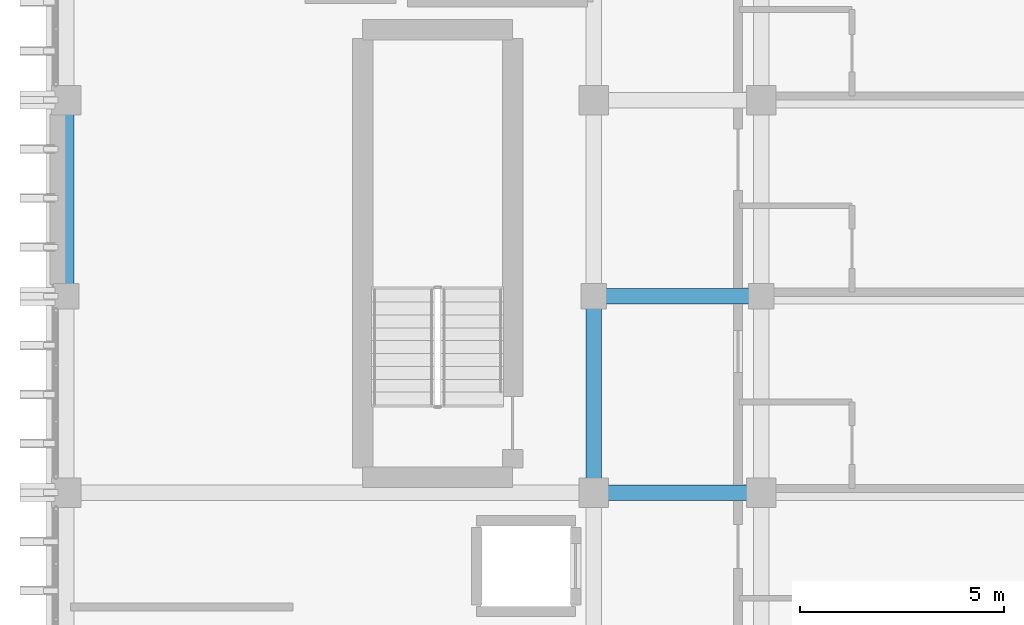
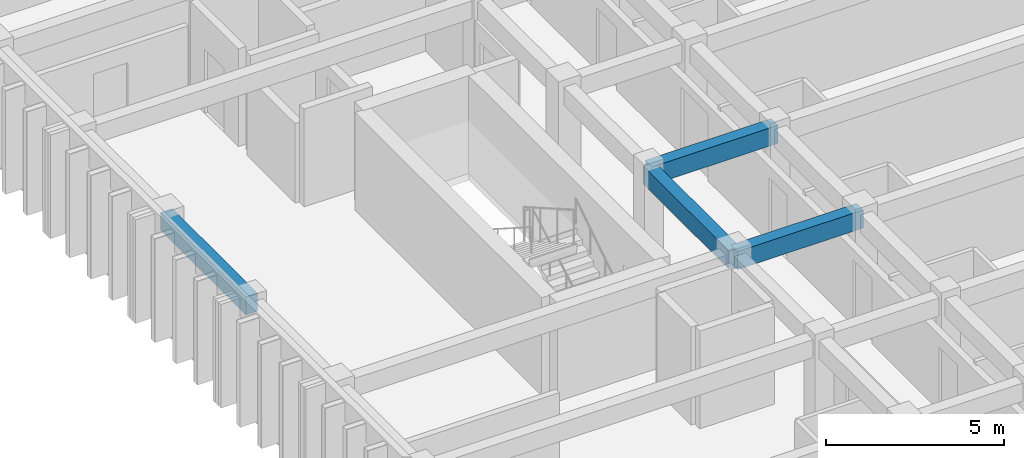
# One storey, part 19 of 59: 4 beams.
"""IFC4 building model written with IfcOpenShell, lengths in metres."""

from ifc_helpers import new_model, si_unit, direction, frame, origin, origin_2d, place, context, subcontext, project, spatial, rectangle, extrude, material, material_profile, profile_set, type_object, element, save


model = new_model("IFC4")

# Units and contexts
model_context = context("Model", 3, precision=1e-05, world=origin(), true_north=direction((0.0, 1.0)))
body_context = subcontext(model_context, "Body", "Model", "MODEL_VIEW")
ifc_project = project(units=[si_unit("LENGTHUNIT", "METRE"), si_unit("AREAUNIT", "SQUARE_METRE"), si_unit("VOLUMEUNIT", "CUBIC_METRE"), si_unit("PLANEANGLEUNIT", "RADIAN"), si_unit("MASSUNIT", "GRAM", prefix="KILO")], contexts=[model_context])

# Site, building, storey
site_placement = place(None, origin())
site = spatial("IfcSite", under=ifc_project, at=site_placement, CompositionType="ELEMENT")
building_placement = place(site_placement, origin())
building = spatial("IfcBuilding", under=site, at=building_placement, Name="Nakhvara Creek Congress Hotel", CompositionType="ELEMENT")
storey_placement = place(building_placement, frame((0.0, 0.0, 31.800048828125)))
storey = spatial("IfcBuildingStorey", under=building, at=storey_placement, Name="L07", CompositionType="ELEMENT", Elevation=31.800048828125)

# Beams
ifc_material = material(Name="Concrete C40/50", Category="concrete")
ifc_material_profile = material_profile(ifc_material, rectangle(XDim=0.3798828125, YDim=0.6201171875, at=origin_2d()), Name="RC-BM 380x620", Category="LoadBearing")
ifc_profile_set = profile_set([ifc_material_profile], Name="Concrete C40/50")
beam_type = type_object("IfcBeamType", Name="BM-RC-380X620", PredefinedType="BEAM", material=ifc_profile_set)
beam_1_placement = place(storey_placement, frame((149.449951171875, 81.60009765625, 3.050048828125), z_axis=(0.0, 1.0, 0.0), x_axis=(-1.0, 0.0, 0.0)))
element("IfcBeam", 1, at=beam_1_placement, inside=storey, type_object=beam_type, Name="Beam B10-L07-2329", PredefinedType="BEAM", context=body_context, shape_type="SweptSolid", body=[
    extrude(rectangle(XDim=0.3798828125, YDim=0.6201171875, at=origin_2d()), origin(), (0.0, 0.0, 1.0), 4.7998046875),
])
beam_2_placement = place(storey_placement, frame((162.35009765625, 76.800048828125, 3.050048828125), z_axis=(1.0, 0.0, 0.0), x_axis=(0.0, 1.0, 0.0)))
element("IfcBeam", 2, at=beam_2_placement, inside=storey, type_object=beam_type, Name="Beam B10-L07-2349", PredefinedType="BEAM", context=body_context, shape_type="SweptSolid", body=[
    extrude(rectangle(XDim=0.3798828125, YDim=0.6201171875, at=origin_2d()), origin(), (0.0, 0.0, 1.0), 4.099853515625),
])
beam_3_placement = place(storey_placement, frame((162.35009765625, 76.800048828125, 3.050048828125), z_axis=(0.0, 1.0, 0.0), x_axis=(-1.0, 0.0, 0.0)))
element("IfcBeam", 3, at=beam_3_placement, inside=storey, type_object=beam_type, Name="Beam B10-L07-2351", PredefinedType="BEAM", context=body_context, shape_type="SweptSolid", body=[
    extrude(rectangle(XDim=0.3798828125, YDim=0.6201171875, at=origin_2d()), origin(), (0.0, 0.0, 1.0), 4.800048828125),
])
beam_4_placement = place(storey_placement, frame((162.35009765625, 81.60009765625, 3.050048828125), z_axis=(1.0, 0.0, 0.0), x_axis=(0.0, 1.0, 0.0)))
element("IfcBeam", 4, at=beam_4_placement, inside=storey, type_object=beam_type, Name="Beam B10-L07-2416", PredefinedType="BEAM", context=body_context, shape_type="SweptSolid", body=[
    extrude(rectangle(XDim=0.3798828125, YDim=0.6201171875, at=origin_2d()), origin(), (0.0, 0.0, 1.0), 4.099853515625),
])

save(model, "model.ifc")
